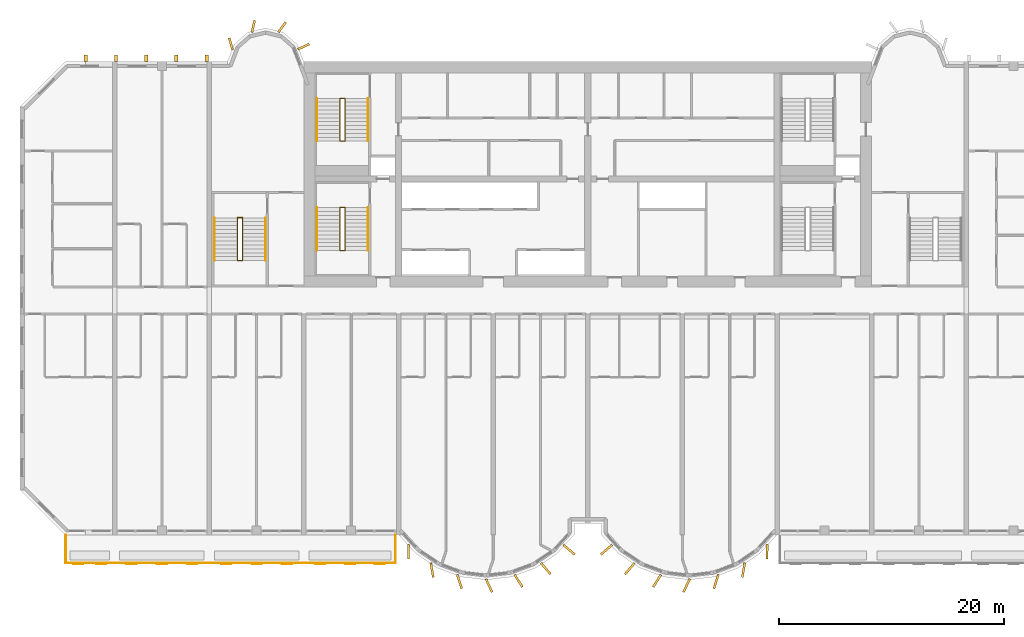
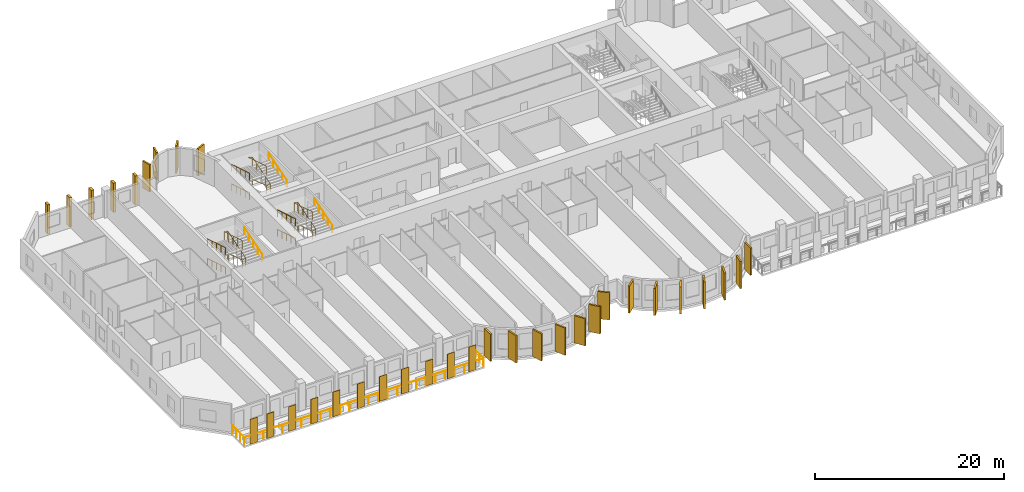
# One storey, part 13 of 15: 34 coverings, 13 railings.
"""IFC4 building model written with IfcOpenShell, lengths in metres."""

from ifc_helpers import new_model, si_unit, direction, frame, origin, origin_2d, place, context, subcontext, project, spatial, rectangle, circle, extrude, source, transform, mapped, material, layer, layer_set, material_profile, profile_set, type_object, element, save


model = new_model("IFC4")

# Units and contexts
model_context = context("Model", 3, precision=1e-05, world=origin(), true_north=direction((0.0, 1.0)))
body_context = subcontext(model_context, "Body", "Model", "MODEL_VIEW")
ifc_project = project(units=[si_unit("LENGTHUNIT", "METRE"), si_unit("AREAUNIT", "SQUARE_METRE"), si_unit("VOLUMEUNIT", "CUBIC_METRE"), si_unit("PLANEANGLEUNIT", "RADIAN"), si_unit("MASSUNIT", "GRAM", prefix="KILO")], contexts=[model_context])

# Site, building, storey
site_placement = place(None, origin())
site = spatial("IfcSite", under=ifc_project, at=site_placement, CompositionType="ELEMENT")
building_placement = place(site_placement, origin())
building = spatial("IfcBuilding", under=site, at=building_placement, Name="Vanashikhar Sky Hotel", CompositionType="ELEMENT")
storey_placement = place(building_placement, frame((0.0, 0.0, 77.199951171875)))
storey = spatial("IfcBuildingStorey", under=building, at=storey_placement, Name="L18", CompositionType="ELEMENT", Elevation=77.199951171875)

# Railing
ifc_material_1 = material(Name="Stainless steel 316", Category="steel")
railing_type_1 = type_object("IfcRailingType", Name="Balcony guard 1100", PredefinedType="GUARDRAIL", material=ifc_material_1)
shared_shape_1 = source(origin(), body_context, "Body", "SweptSolid", [
    extrude(circle(Radius=0.02392578125, at=origin_2d()), frame((0.0, 0.0, 1.076171875), z_axis=(0.0, -1.0, 0.0), x_axis=(1.0, 0.0, 0.0)), (0.0, 0.0, 1.0), 2.5),
    extrude(circle(Radius=0.02392578125, at=origin_2d()), frame((0.0, -2.5, 1.076171875), z_axis=(1.0, 0.0, 0.0), x_axis=(0.0, 1.0, 0.0)), (0.0, 0.0, 1.0), 29.280029296875),
    extrude(circle(Radius=0.02392578125, at=origin_2d()), frame((29.280029296875, -2.5, 1.076171875), z_axis=(0.0, 1.0, 0.0), x_axis=(-1.0, 0.0, 0.0)), (0.0, 0.0, 1.0), 2.5),
    extrude(circle(Radius=0.02099609375, at=origin_2d()), origin(), (0.0, 0.0, 1.0), 1.052001953125),
    extrude(circle(Radius=0.02099609375, at=origin_2d()), frame((0.0, -0.833251953125, 0.0)), (0.0, 0.0, 1.0), 1.052001953125),
    extrude(circle(Radius=0.02099609375, at=origin_2d()), frame((0.0, -1.666748046875, 0.0)), (0.0, 0.0, 1.0), 1.052001953125),
    extrude(circle(Radius=0.02099609375, at=origin_2d()), frame((0.0, -2.5, 0.0)), (0.0, 0.0, 1.0), 1.052001953125),
    extrude(circle(Radius=0.02099609375, at=origin_2d()), frame((1.171142578125, -2.5, 0.0)), (0.0, 0.0, 1.0), 1.052001953125),
    extrude(circle(Radius=0.02099609375, at=origin_2d()), frame((2.34228515625, -2.5, 0.0)), (0.0, 0.0, 1.0), 1.052001953125),
    extrude(circle(Radius=0.02099609375, at=origin_2d()), frame((3.513671875, -2.5, 0.0)), (0.0, 0.0, 1.0), 1.052001953125),
    extrude(circle(Radius=0.02099609375, at=origin_2d()), frame((4.684814453125, -2.5, 0.0)), (0.0, 0.0, 1.0), 1.052001953125),
    extrude(circle(Radius=0.02099609375, at=origin_2d()), frame((5.85595703125, -2.5, 0.0)), (0.0, 0.0, 1.0), 1.052001953125),
    extrude(circle(Radius=0.02099609375, at=origin_2d()), frame((7.027099609375, -2.5, 0.0)), (0.0, 0.0, 1.0), 1.052001953125),
    extrude(circle(Radius=0.02099609375, at=origin_2d()), frame((8.198486328125, -2.5, 0.0)), (0.0, 0.0, 1.0), 1.052001953125),
    extrude(circle(Radius=0.02099609375, at=origin_2d()), frame((9.36962890625, -2.5, 0.0)), (0.0, 0.0, 1.0), 1.052001953125),
    extrude(circle(Radius=0.02099609375, at=origin_2d()), frame((10.540771484375, -2.5, 0.0)), (0.0, 0.0, 1.0), 1.052001953125),
    extrude(circle(Radius=0.02099609375, at=origin_2d()), frame((11.7119140625, -2.5, 0.0)), (0.0, 0.0, 1.0), 1.052001953125),
    extrude(circle(Radius=0.02099609375, at=origin_2d()), frame((12.88330078125, -2.5, 0.0)), (0.0, 0.0, 1.0), 1.052001953125),
    extrude(circle(Radius=0.02099609375, at=origin_2d()), frame((14.054443359375, -2.5, 0.0)), (0.0, 0.0, 1.0), 1.052001953125),
    extrude(circle(Radius=0.02099609375, at=origin_2d()), frame((15.2255859375, -2.5, 0.0)), (0.0, 0.0, 1.0), 1.052001953125),
    extrude(circle(Radius=0.02099609375, at=origin_2d()), frame((16.396728515625, -2.5, 0.0)), (0.0, 0.0, 1.0), 1.052001953125),
    extrude(circle(Radius=0.02099609375, at=origin_2d()), frame((17.568115234375, -2.5, 0.0)), (0.0, 0.0, 1.0), 1.052001953125),
    extrude(circle(Radius=0.02099609375, at=origin_2d()), frame((18.7392578125, -2.5, 0.0)), (0.0, 0.0, 1.0), 1.052001953125),
    extrude(circle(Radius=0.02099609375, at=origin_2d()), frame((19.910400390625, -2.5, 0.0)), (0.0, 0.0, 1.0), 1.052001953125),
    extrude(circle(Radius=0.02099609375, at=origin_2d()), frame((21.08154296875, -2.5, 0.0)), (0.0, 0.0, 1.0), 1.052001953125),
    extrude(circle(Radius=0.02099609375, at=origin_2d()), frame((22.2529296875, -2.5, 0.0)), (0.0, 0.0, 1.0), 1.052001953125),
    extrude(circle(Radius=0.02099609375, at=origin_2d()), frame((23.424072265625, -2.5, 0.0)), (0.0, 0.0, 1.0), 1.052001953125),
    extrude(circle(Radius=0.02099609375, at=origin_2d()), frame((24.59521484375, -2.5, 0.0)), (0.0, 0.0, 1.0), 1.052001953125),
    extrude(circle(Radius=0.02099609375, at=origin_2d()), frame((25.766357421875, -2.5, 0.0)), (0.0, 0.0, 1.0), 1.052001953125),
    extrude(circle(Radius=0.02099609375, at=origin_2d()), frame((26.937744140625, -2.5, 0.0)), (0.0, 0.0, 1.0), 1.052001953125),
    extrude(circle(Radius=0.02099609375, at=origin_2d()), frame((28.10888671875, -2.5, 0.0)), (0.0, 0.0, 1.0), 1.052001953125),
    extrude(circle(Radius=0.02099609375, at=origin_2d()), frame((29.280029296875, -2.5, 0.0)), (0.0, 0.0, 1.0), 1.052001953125),
    extrude(circle(Radius=0.02099609375, at=origin_2d()), frame((29.280029296875, -1.666748046875, 0.0)), (0.0, 0.0, 1.0), 1.052001953125),
    extrude(circle(Radius=0.02099609375, at=origin_2d()), frame((29.280029296875, -0.833251953125, 0.0)), (0.0, 0.0, 1.0), 1.052001953125),
    extrude(circle(Radius=0.02099609375, at=origin_2d()), frame((29.280029296875, 0.0, 0.0)), (0.0, 0.0, 1.0), 1.052001953125),
])
railing_1_placement = place(storey_placement, frame((4.06005859375, 0.0, -0.050048828125)))
element("IfcRailing", 1, at=railing_1_placement, inside=storey, type_object=railing_type_1, Name="Balcony guard", PredefinedType="GUARDRAIL", context=body_context, shape_type="MappedRepresentation", body=[
    mapped(shared_shape_1, transform((0.0, 0.0, 0.0), scale=1.0)),
])

# Coverings
ifc_material_2 = material(Name="Concrete M60 dark", Category="concrete")
ifc_material_profile_1 = material_profile(ifc_material_2, rectangle(XDim=1.300048828125, YDim=0.199951171875, at=origin_2d()))
ifc_profile_set_1 = profile_set([ifc_material_profile_1], Name="Fin 1300 x 200")
covering_type_1 = type_object("IfcCoveringType", Name="Fin 1300 x 200", PredefinedType="CLADDING", material=ifc_profile_set_1)
shared_shape_2 = source(origin(), body_context, "Body", "SweptSolid", [
    extrude(rectangle(XDim=1.300048828125, YDim=0.199951171875, at=origin_2d()), origin(), (0.0, 0.0, 1.0), 3.52001953125),
])
for number, where, z_axis, x_axis, name in (
    (2, (34.482421875, -1.507080078125, 0.0), (0.0, 0.0, 1.0), (0.011588726826, -0.999932848451, 0.0), "Fin F1-1"),
    (3, (36.572509765625, -3.1220703125, 0.0), (0.0, 0.0, 1.0), (0.16989991575, -0.985461322746, 0.0), "Fin F1-2"),
    (4, (39.00830078125, -4.14306640625, 0.0), (0.0, 0.0, 1.0), (0.303966551867, -0.952682704444, 0.0), "Fin F1-3"),
    (5, (41.63232421875, -4.49853515625, 0.0), (0.0, 0.0, 1.0), (0.422618261741, -0.906307787037, 0.0), "Fin F1-4"),
    (6, (44.251953125, -4.083984375, 0.0), (0.0, 0.0, 1.0), (0.534411358496, -0.845224526331, 0.0), "Fin F1-5"),
    (7, (46.676025390625, -3.0, 0.0), (0.0, 0.0, 1.0), (0.645697609467, -0.763593214433, 0.0), "Fin F1-6"),
    (8, (48.7412109375, -1.3154296875, 0.0), (0.0, 0.0, 1.0), (0.758543912032, -0.65162192529, 0.0), "Fin F1-7"),
    (9, (52.058837890625, -1.3154296875, 0.0), (0.0, 0.0, 1.0), (-0.758543912032, -0.65162192529, 0.0), "Fin F2-1"),
    (10, (54.123779296875, -3.0, 0.0), (0.0, 0.0, 1.0), (-0.645697609467, -0.763593214433, 0.0), "Fin F2-2"),
    (11, (56.547119140625, -4.083984375, 0.0), (0.0, 0.0, 1.0), (-0.534411358496, -0.845224526331, 0.0), "Fin F2-3"),
    (12, (59.16748046875, -4.49853515625, 0.0), (0.0, 0.0, 1.0), (-0.422618261741, -0.906307787037, 0.0), "Fin F2-4"),
    (13, (61.790771484375, -4.14306640625, 0.0), (0.0, 0.0, 1.0), (-0.303966551867, -0.952682704444, 0.0), "Fin F2-5"),
    (14, (64.2275390625, -3.1220703125, 0.0), (0.0, 0.0, 1.0), (-0.16989991575, -0.985461322746, 0.0), "Fin F2-6"),
    (15, (66.317626953125, -1.507080078125, 0.0), (0.0, 0.0, 1.0), (-0.011588726826, -0.999932848451, 0.0), "Fin F2-7"),
):
    element("IfcCovering", number, at=place(storey_placement, frame(where, z_axis=z_axis, x_axis=x_axis)), inside=storey, type_object=covering_type_1, Name=name, PredefinedType="CLADDING", context=body_context, shape_type="MappedRepresentation", body=[
        mapped(shared_shape_2, transform((0.0, 0.0, 0.0), scale=1.0)),
    ])
ifc_material_profile_2 = material_profile(ifc_material_2, rectangle(XDim=1.10009765625, YDim=0.199951171875, at=origin_2d()))
ifc_profile_set_2 = profile_set([ifc_material_profile_2], Name="Rear lobe fin 1100 x 200")
covering_type_2 = type_object("IfcCoveringType", Name="Rear lobe fin 1100 x 200", PredefinedType="CLADDING", material=ifc_profile_set_2)
shared_shape_3 = source(origin(), body_context, "Body", "SweptSolid", [
    extrude(rectangle(XDim=1.10009765625, YDim=0.199951171875, at=origin_2d()), origin(), (0.0, 0.0, 1.0), 3.52001953125),
])
for number, where, z_axis, x_axis, name in (
    (16, (18.720703125, 43.580078125, 0.0), (0.0, 0.0, 1.0), (-0.262711264409, 0.964874495234, 0.0), "Fin R1-1"),
    (17, (20.710205078125, 45.1455078125, 0.0), (0.0, 0.0, 1.0), (0.224644935864, 0.974440687159, 0.0), "Fin R1-2"),
    (18, (23.261962890625, 45.06640625, 0.0), (0.0, 0.0, 1.0), (0.602065892195, 0.798446404874, 0.0), "Fin R1-3"),
    (19, (25.169677734375, 43.33447265625, 0.0), (0.0, 0.0, 1.0), (0.908004291068, 0.418960866193, 0.0), "Fin R1-4"),
):
    element("IfcCovering", number, at=place(storey_placement, frame(where, z_axis=z_axis, x_axis=x_axis)), inside=storey, type_object=covering_type_2, Name=name, PredefinedType="CLADDING", context=body_context, shape_type="MappedRepresentation", body=[
        mapped(shared_shape_3, transform((0.0, 0.0, 0.0), scale=1.0)),
    ])
ifc_material_3 = material(Name="Terracotta", Category="masonry")
ifc_layer = layer(ifc_material_3, 0.06005859375)
ifc_layer_set = layer_set([ifc_layer], Name="Terracotta baguette screen")
covering_type_3 = type_object("IfcCoveringType", Name="Terracotta baguette screen", PredefinedType="CLADDING", material=ifc_layer_set)
shared_shape_4 = source(origin(), body_context, "Body", "SweptSolid", [
    extrude(rectangle(XDim=0.89990234375, YDim=0.06005859375, at=origin_2d()), origin(), (0.0, 0.0, 1.0), 3.199951171875),
])
for number, where, z_axis, x_axis, name in (
    (20, (5.175048828125, -2.570068359375, -0.0498046875), (0.0, 0.0, 1.0), (1.0, 0.0, 0.0), "Terracotta screen"),
    (21, (7.22509765625, -2.570068359375, -0.0498046875), (0.0, 0.0, 1.0), (1.0, 0.0, 0.0), "Terracotta screen"),
    (22, (9.89990234375, -2.570068359375, -0.0498046875), (0.0, 0.0, 1.0), (1.0, 0.0, 0.0), "Terracotta screen"),
    (23, (12.60009765625, -2.570068359375, -0.0498046875), (0.0, 0.0, 1.0), (1.0, 0.0, 0.0), "Terracotta screen"),
    (24, (15.300048828125, -2.570068359375, -0.0498046875), (0.0, 0.0, 1.0), (1.0, 0.0, 0.0), "Terracotta screen"),
    (25, (18.300048828125, -2.570068359375, -0.0498046875), (0.0, 0.0, 1.0), (1.0, 0.0, 0.0), "Terracotta screen"),
    (26, (21.0, -2.570068359375, -0.0498046875), (0.0, 0.0, 1.0), (1.0, 0.0, 0.0), "Terracotta screen"),
    (27, (23.699951171875, -2.570068359375, -0.0498046875), (0.0, 0.0, 1.0), (1.0, 0.0, 0.0), "Terracotta screen"),
    (28, (26.666748046875, -2.570068359375, -0.0498046875), (0.0, 0.0, 1.0), (1.0, 0.0, 0.0), "Terracotta screen"),
    (29, (29.300048828125, -2.570068359375, -0.0498046875), (0.0, 0.0, 1.0), (1.0, 0.0, 0.0), "Terracotta screen"),
    (30, (31.933349609375, -2.570068359375, -0.0498046875), (0.0, 0.0, 1.0), (1.0, 0.0, 0.0), "Terracotta screen"),
):
    element("IfcCovering", number, at=place(storey_placement, frame(where, z_axis=z_axis, x_axis=x_axis)), inside=storey, type_object=covering_type_3, Name=name, PredefinedType="CLADDING", context=body_context, shape_type="MappedRepresentation", body=[
        mapped(shared_shape_4, transform((0.0, 0.0, 0.0), scale=1.0)),
    ])
ifc_material_profile_3 = material_profile(ifc_material_2, rectangle(XDim=0.60009765625, YDim=0.300048828125, at=origin_2d()))
ifc_profile_set_3 = profile_set([ifc_material_profile_3], Name="Rear rib 600 x 300")
covering_type_4 = type_object("IfcCoveringType", Name="Rear rib 600 x 300", PredefinedType="CLADDING", material=ifc_profile_set_3)
shared_shape_5 = source(origin(), body_context, "Body", "SweptSolid", [
    extrude(rectangle(XDim=0.60009765625, YDim=0.300048828125, at=origin_2d()), origin(), (0.0, 0.0, 1.0), 3.800048828125),
])
for number, where, z_axis, x_axis, name in (
    (31, (5.840087890625, 42.300048828125, -0.280029296875), (0.0, 0.0, 1.0), (0.0, 1.0, 0.0), "Rear rib"),
    (32, (8.52001953125, 42.300048828125, -0.280029296875), (0.0, 0.0, 1.0), (0.0, 1.0, 0.0), "Rear rib"),
    (33, (11.199951171875, 42.300048828125, -0.280029296875), (0.0, 0.0, 1.0), (0.0, 1.0, 0.0), "Rear rib"),
    (34, (13.8798828125, 42.300048828125, -0.280029296875), (0.0, 0.0, 1.0), (0.0, 1.0, 0.0), "Rear rib"),
    (35, (16.56005859375, 42.300048828125, -0.280029296875), (0.0, 0.0, 1.0), (0.0, 1.0, 0.0), "Rear rib"),
):
    element("IfcCovering", number, at=place(storey_placement, frame(where, z_axis=z_axis, x_axis=x_axis)), inside=storey, type_object=covering_type_4, Name=name, PredefinedType="CLADDING", context=body_context, shape_type="MappedRepresentation", body=[
        mapped(shared_shape_5, transform((0.0, 0.0, 0.0), scale=1.0)),
    ])

# Railings
ifc_material_4 = material(Name="Steel S355", Category="steel")
railing_type_2 = type_object("IfcRailingType", Name="Stair handrail 900", PredefinedType="HANDRAIL", material=ifc_material_4)
shared_shape_6 = source(origin(), body_context, "Body", "SweptSolid", [
    extrude(circle(Radius=0.02392578125, at=origin_2d()), frame((0.0, 0.0, 0.8759765625), z_axis=(0.0, 0.95635109408, 0.292220096591), x_axis=(-1.0, 0.0, 0.0)), (0.0, 0.0, 1.0), 3.973388671875),
    extrude(circle(Radius=0.02099609375, at=origin_2d()), origin(), (0.0, 0.0, 1.0), 0.851806640625),
    extrude(circle(Radius=0.02099609375, at=origin_2d()), frame((0.0, 0.949951171875, 0.290283203125)), (0.0, 0.0, 1.0), 0.851806640625),
    extrude(circle(Radius=0.02099609375, at=origin_2d()), frame((0.0, 1.89990234375, 0.58056640625)), (0.0, 0.0, 1.0), 0.851806640625),
    extrude(circle(Radius=0.02099609375, at=origin_2d()), frame((0.0, 2.85009765625, 0.870849609375)), (0.0, 0.0, 1.0), 0.851806640625),
    extrude(circle(Radius=0.02099609375, at=origin_2d()), frame((0.0, 3.800048828125, 1.1611328125)), (0.0, 0.0, 1.0), 0.851806640625),
])
for number, where, name in (
    (36, (30.89990234375, 25.25, 1.372314453125), "Exit stair 1 handrail"),
    (37, (30.89990234375, 34.949951171875, 1.372314453125), "Exit stair 5 handrail"),
):
    element("IfcRailing", number, at=place(storey_placement, frame(where)), inside=storey, type_object=railing_type_2, Name=name, PredefinedType="HANDRAIL", context=body_context, shape_type="MappedRepresentation", body=[
        mapped(shared_shape_6, transform((0.0, 0.0, 0.0), scale=1.0)),
    ])
shared_shape_7 = source(origin(), body_context, "Body", "SweptSolid", [
    extrude(circle(Radius=0.02392578125, at=origin_2d()), frame((0.0, 0.0, 0.8759765625), z_axis=(0.0, -0.95635109408, 0.292220096591), x_axis=(1.0, 0.0, 0.0)), (0.0, 0.0, 1.0), 3.973388671875),
    extrude(circle(Radius=0.02099609375, at=origin_2d()), origin(), (0.0, 0.0, 1.0), 0.851806640625),
    extrude(circle(Radius=0.02099609375, at=origin_2d()), frame((0.0, -0.949951171875, 0.290283203125)), (0.0, 0.0, 1.0), 0.851806640625),
    extrude(circle(Radius=0.02099609375, at=origin_2d()), frame((0.0, -1.89990234375, 0.58056640625)), (0.0, 0.0, 1.0), 0.851806640625),
    extrude(circle(Radius=0.02099609375, at=origin_2d()), frame((0.0, -2.85009765625, 0.870849609375)), (0.0, 0.0, 1.0), 0.851806640625),
    extrude(circle(Radius=0.02099609375, at=origin_2d()), frame((0.0, -3.800048828125, 1.1611328125)), (0.0, 0.0, 1.0), 0.851806640625),
])
for number, where, name in (
    (38, (26.35009765625, 29.050048828125, 2.638916015625), "Exit stair 1 handrail"),
    (39, (26.35009765625, 38.75, 2.638916015625), "Exit stair 5 handrail"),
):
    element("IfcRailing", number, at=place(storey_placement, frame(where)), inside=storey, type_object=railing_type_2, Name=name, PredefinedType="HANDRAIL", context=body_context, shape_type="MappedRepresentation", body=[
        mapped(shared_shape_7, transform((0.0, 0.0, 0.0), scale=1.0)),
    ])
railing_type_3 = type_object("IfcRailingType", Name="Stair guard 1100", PredefinedType="GUARDRAIL", material=ifc_material_4)
shared_shape_8 = source(origin(), body_context, "Body", "SweptSolid", [
    extrude(circle(Radius=0.02392578125, at=origin_2d()), frame((0.0, 0.0, 1.076171875), z_axis=(-0.973520925263, 0.0, 0.228597917917), x_axis=(0.0, -1.0, 0.0)), (0.0, 0.0, 1.0), 0.46240234375),
    extrude(circle(Radius=0.02392578125, at=origin_2d()), frame((-0.4501953125, 0.0, 1.181640625), z_axis=(0.0, -0.956368263741, 0.292163899395), x_axis=(1.0, 0.0, 0.0)), (0.0, 0.0, 1.0), 3.973388671875),
    extrude(circle(Radius=0.02392578125, at=origin_2d()), frame((-0.4501953125, -3.800048828125, 2.3427734375), z_axis=(0.973520925263, 0.0, 0.228597917917), x_axis=(0.0, 1.0, 0.0)), (0.0, 0.0, 1.0), 0.46240234375),
    extrude(circle(Radius=0.02392578125, at=origin_2d()), frame((0.0, -3.800048828125, 2.4482421875), z_axis=(0.0, 0.95635109408, 0.292220096591), x_axis=(-1.0, 0.0, 0.0)), (0.0, 0.0, 1.0), 3.973388671875),
    extrude(circle(Radius=0.02392578125, at=origin_2d()), frame((0.0, 0.0, 3.609375), z_axis=(-0.973638301096, 0.0, 0.228097476179), x_axis=(0.0, -1.0, 0.0)), (0.0, 0.0, 1.0), 0.46240234375),
    extrude(circle(Radius=0.02392578125, at=origin_2d()), frame((-0.4501953125, 0.0, 3.71484375), z_axis=(0.0, -0.95635109408, 0.292220096591), x_axis=(1.0, 0.0, 0.0)), (0.0, 0.0, 1.0), 3.973388671875),
    extrude(circle(Radius=0.02099609375, at=origin_2d()), origin(), (0.0, 0.0, 1.0), 1.052001953125),
    extrude(circle(Radius=0.02099609375, at=origin_2d()), frame((-0.4501953125, 0.0, 0.105712890625)), (0.0, 0.0, 1.0), 1.052001953125),
    extrude(circle(Radius=0.02099609375, at=origin_2d()), frame((-0.4501953125, -0.949951171875, 0.39599609375)), (0.0, 0.0, 1.0), 1.052001953125),
    extrude(circle(Radius=0.02099609375, at=origin_2d()), frame((-0.4501953125, -1.89990234375, 0.68603515625)), (0.0, 0.0, 1.0), 1.052001953125),
    extrude(circle(Radius=0.02099609375, at=origin_2d()), frame((-0.4501953125, -2.85009765625, 0.976318359375)), (0.0, 0.0, 1.0), 1.052001953125),
    extrude(circle(Radius=0.02099609375, at=origin_2d()), frame((-0.4501953125, -3.800048828125, 1.2666015625)), (0.0, 0.0, 1.0), 1.052001953125),
    extrude(circle(Radius=0.02099609375, at=origin_2d()), frame((0.0, -3.800048828125, 1.372314453125)), (0.0, 0.0, 1.0), 1.052001953125),
    extrude(circle(Radius=0.02099609375, at=origin_2d()), frame((0.0, -2.85009765625, 1.66259765625)), (0.0, 0.0, 1.0), 1.052001953125),
    extrude(circle(Radius=0.02099609375, at=origin_2d()), frame((0.0, -1.89990234375, 1.952880859375)), (0.0, 0.0, 1.0), 1.052001953125),
    extrude(circle(Radius=0.02099609375, at=origin_2d()), frame((0.0, -0.949951171875, 2.2431640625)), (0.0, 0.0, 1.0), 1.052001953125),
    extrude(circle(Radius=0.02099609375, at=origin_2d()), frame((0.0, 0.0, 2.533447265625)), (0.0, 0.0, 1.0), 1.052001953125),
    extrude(circle(Radius=0.02099609375, at=origin_2d()), frame((-0.4501953125, 0.0, 2.638916015625)), (0.0, 0.0, 1.0), 1.052001953125),
    extrude(circle(Radius=0.02099609375, at=origin_2d()), frame((-0.4501953125, -0.949951171875, 2.92919921875)), (0.0, 0.0, 1.0), 1.052001953125),
    extrude(circle(Radius=0.02099609375, at=origin_2d()), frame((-0.4501953125, -1.89990234375, 3.219482421875)), (0.0, 0.0, 1.0), 1.052001953125),
    extrude(circle(Radius=0.02099609375, at=origin_2d()), frame((-0.4501953125, -2.85009765625, 3.509765625)), (0.0, 0.0, 1.0), 1.052001953125),
    extrude(circle(Radius=0.02099609375, at=origin_2d()), frame((-0.4501953125, -3.800048828125, 3.800048828125)), (0.0, 0.0, 1.0), 1.052001953125),
])
for number, where, name in (
    (40, (28.85009765625, 29.050048828125, 0.0), "Exit stair 1 guard"),
    (41, (28.85009765625, 38.75, 0.0), "Exit stair 5 guard"),
):
    element("IfcRailing", number, at=place(storey_placement, frame(where)), inside=storey, type_object=railing_type_3, Name=name, PredefinedType="GUARDRAIL", context=body_context, shape_type="MappedRepresentation", body=[
        mapped(shared_shape_8, transform((0.0, 0.0, 0.0), scale=1.0)),
    ])
shared_shape_9 = source(origin(), body_context, "Body", "SweptSolid", [
    extrude(circle(Radius=0.02392578125, at=origin_2d()), frame((0.0, 0.0, 0.8759765625), z_axis=(0.0, -0.956368263741, 0.292163899395), x_axis=(1.0, 0.0, 0.0)), (0.0, 0.0, 1.0), 3.973388671875),
    extrude(circle(Radius=0.02099609375, at=origin_2d()), origin(), (0.0, 0.0, 1.0), 0.851806640625),
    extrude(circle(Radius=0.02099609375, at=origin_2d()), frame((0.0, -0.949951171875, 0.290283203125)), (0.0, 0.0, 1.0), 0.851806640625),
    extrude(circle(Radius=0.02099609375, at=origin_2d()), frame((0.0, -1.89990234375, 0.58056640625)), (0.0, 0.0, 1.0), 0.851806640625),
    extrude(circle(Radius=0.02099609375, at=origin_2d()), frame((0.0, -2.85009765625, 0.87060546875)), (0.0, 0.0, 1.0), 0.851806640625),
    extrude(circle(Radius=0.02099609375, at=origin_2d()), frame((0.0, -3.800048828125, 1.160888671875)), (0.0, 0.0, 1.0), 0.851806640625),
])
for number, where, name in (
    (42, (26.35009765625, 29.050048828125, 0.105712890625), "Exit stair 1 handrail"),
    (43, (26.35009765625, 38.75, 0.105712890625), "Exit stair 5 handrail"),
):
    element("IfcRailing", number, at=place(storey_placement, frame(where)), inside=storey, type_object=railing_type_2, Name=name, PredefinedType="HANDRAIL", context=body_context, shape_type="MappedRepresentation", body=[
        mapped(shared_shape_9, transform((0.0, 0.0, 0.0), scale=1.0)),
    ])
shared_shape_10 = source(origin(), body_context, "Body", "SweptSolid", [
    extrude(circle(Radius=0.02392578125, at=origin_2d()), frame((0.0, 0.0, 0.8759765625), z_axis=(0.0, 0.956345846891, 0.292237268557), x_axis=(-1.0, 0.0, 0.0)), (0.0, 0.0, 1.0), 3.97314453125),
    extrude(circle(Radius=0.02099609375, at=origin_2d()), origin(), (0.0, 0.0, 1.0), 0.851806640625),
    extrude(circle(Radius=0.02099609375, at=origin_2d()), frame((0.0, 0.949951171875, 0.290283203125)), (0.0, 0.0, 1.0), 0.851806640625),
    extrude(circle(Radius=0.02099609375, at=origin_2d()), frame((0.0, 1.89990234375, 0.58056640625)), (0.0, 0.0, 1.0), 0.851806640625),
    extrude(circle(Radius=0.02099609375, at=origin_2d()), frame((0.0, 2.849853515625, 0.870849609375)), (0.0, 0.0, 1.0), 0.851806640625),
    extrude(circle(Radius=0.02099609375, at=origin_2d()), frame((0.0, 3.7998046875, 1.1611328125)), (0.0, 0.0, 1.0), 0.851806640625),
])
railing_2_placement = place(storey_placement, frame((21.800048828125, 24.35009765625, 1.372314453125)))
element("IfcRailing", 44, at=railing_2_placement, inside=storey, type_object=railing_type_2, Name="Exit stair 3 handrail", PredefinedType="HANDRAIL", context=body_context, shape_type="MappedRepresentation", body=[
    mapped(shared_shape_10, transform((0.0, 0.0, 0.0), scale=1.0)),
])
shared_shape_11 = source(origin(), body_context, "Body", "SweptSolid", [
    extrude(circle(Radius=0.02392578125, at=origin_2d()), frame((0.0, 0.0, 0.8759765625), z_axis=(0.0, -0.956345846891, 0.292237268557), x_axis=(1.0, 0.0, 0.0)), (0.0, 0.0, 1.0), 3.97314453125),
    extrude(circle(Radius=0.02099609375, at=origin_2d()), origin(), (0.0, 0.0, 1.0), 0.851806640625),
    extrude(circle(Radius=0.02099609375, at=origin_2d()), frame((0.0, -0.949951171875, 0.290283203125)), (0.0, 0.0, 1.0), 0.851806640625),
    extrude(circle(Radius=0.02099609375, at=origin_2d()), frame((0.0, -1.89990234375, 0.58056640625)), (0.0, 0.0, 1.0), 0.851806640625),
    extrude(circle(Radius=0.02099609375, at=origin_2d()), frame((0.0, -2.849853515625, 0.870849609375)), (0.0, 0.0, 1.0), 0.851806640625),
    extrude(circle(Radius=0.02099609375, at=origin_2d()), frame((0.0, -3.7998046875, 1.1611328125)), (0.0, 0.0, 1.0), 0.851806640625),
])
railing_3_placement = place(storey_placement, frame((17.25, 28.14990234375, 2.638916015625)))
element("IfcRailing", 45, at=railing_3_placement, inside=storey, type_object=railing_type_2, Name="Exit stair 3 handrail", PredefinedType="HANDRAIL", context=body_context, shape_type="MappedRepresentation", body=[
    mapped(shared_shape_11, transform((0.0, 0.0, 0.0), scale=1.0)),
])
shared_shape_12 = source(origin(), body_context, "Body", "SweptSolid", [
    extrude(circle(Radius=0.02392578125, at=origin_2d()), frame((0.0, 0.0, 1.076171875), z_axis=(-0.973493315427, 0.0, 0.228715466945), x_axis=(0.0, -1.0, 0.0)), (0.0, 0.0, 1.0), 0.462158203125),
    extrude(circle(Radius=0.02392578125, at=origin_2d()), frame((-0.449951171875, 0.0, 1.181640625), z_axis=(0.0, -0.956363018476, 0.292181068675), x_axis=(1.0, 0.0, 0.0)), (0.0, 0.0, 1.0), 3.97314453125),
    extrude(circle(Radius=0.02392578125, at=origin_2d()), frame((-0.449951171875, -3.7998046875, 2.3427734375), z_axis=(0.973493315427, 0.0, 0.228715466945), x_axis=(0.0, 1.0, 0.0)), (0.0, 0.0, 1.0), 0.462158203125),
    extrude(circle(Radius=0.02392578125, at=origin_2d()), frame((0.0, -3.7998046875, 2.4482421875), z_axis=(0.0, 0.956345846891, 0.292237268557), x_axis=(-1.0, 0.0, 0.0)), (0.0, 0.0, 1.0), 3.97314453125),
    extrude(circle(Radius=0.02392578125, at=origin_2d()), frame((0.0, 0.0, 3.609375), z_axis=(-0.973610808694, 0.0, 0.228214796178), x_axis=(0.0, -1.0, 0.0)), (0.0, 0.0, 1.0), 0.462158203125),
    extrude(circle(Radius=0.02392578125, at=origin_2d()), frame((-0.449951171875, 0.0, 3.71484375), z_axis=(0.0, -0.956345846891, 0.292237268557), x_axis=(1.0, 0.0, 0.0)), (0.0, 0.0, 1.0), 3.97314453125),
    extrude(circle(Radius=0.02099609375, at=origin_2d()), origin(), (0.0, 0.0, 1.0), 1.052001953125),
    extrude(circle(Radius=0.02099609375, at=origin_2d()), frame((-0.449951171875, 0.0, 0.105712890625)), (0.0, 0.0, 1.0), 1.052001953125),
    extrude(circle(Radius=0.02099609375, at=origin_2d()), frame((-0.449951171875, -0.949951171875, 0.39599609375)), (0.0, 0.0, 1.0), 1.052001953125),
    extrude(circle(Radius=0.02099609375, at=origin_2d()), frame((-0.449951171875, -1.89990234375, 0.68603515625)), (0.0, 0.0, 1.0), 1.052001953125),
    extrude(circle(Radius=0.02099609375, at=origin_2d()), frame((-0.449951171875, -2.849853515625, 0.976318359375)), (0.0, 0.0, 1.0), 1.052001953125),
    extrude(circle(Radius=0.02099609375, at=origin_2d()), frame((-0.449951171875, -3.7998046875, 1.2666015625)), (0.0, 0.0, 1.0), 1.052001953125),
    extrude(circle(Radius=0.02099609375, at=origin_2d()), frame((0.0, -3.7998046875, 1.372314453125)), (0.0, 0.0, 1.0), 1.052001953125),
    extrude(circle(Radius=0.02099609375, at=origin_2d()), frame((0.0, -2.849853515625, 1.66259765625)), (0.0, 0.0, 1.0), 1.052001953125),
    extrude(circle(Radius=0.02099609375, at=origin_2d()), frame((0.0, -1.89990234375, 1.952880859375)), (0.0, 0.0, 1.0), 1.052001953125),
    extrude(circle(Radius=0.02099609375, at=origin_2d()), frame((0.0, -0.949951171875, 2.2431640625)), (0.0, 0.0, 1.0), 1.052001953125),
    extrude(circle(Radius=0.02099609375, at=origin_2d()), frame((0.0, 0.0, 2.533447265625)), (0.0, 0.0, 1.0), 1.052001953125),
    extrude(circle(Radius=0.02099609375, at=origin_2d()), frame((-0.449951171875, 0.0, 2.638916015625)), (0.0, 0.0, 1.0), 1.052001953125),
    extrude(circle(Radius=0.02099609375, at=origin_2d()), frame((-0.449951171875, -0.949951171875, 2.92919921875)), (0.0, 0.0, 1.0), 1.052001953125),
    extrude(circle(Radius=0.02099609375, at=origin_2d()), frame((-0.449951171875, -1.89990234375, 3.219482421875)), (0.0, 0.0, 1.0), 1.052001953125),
    extrude(circle(Radius=0.02099609375, at=origin_2d()), frame((-0.449951171875, -2.849853515625, 3.509765625)), (0.0, 0.0, 1.0), 1.052001953125),
    extrude(circle(Radius=0.02099609375, at=origin_2d()), frame((-0.449951171875, -3.7998046875, 3.800048828125)), (0.0, 0.0, 1.0), 1.052001953125),
])
railing_4_placement = place(storey_placement, frame((19.75, 28.14990234375, 0.0)))
element("IfcRailing", 46, at=railing_4_placement, inside=storey, type_object=railing_type_3, Name="Exit stair 3 guard", PredefinedType="GUARDRAIL", context=body_context, shape_type="MappedRepresentation", body=[
    mapped(shared_shape_12, transform((0.0, 0.0, 0.0), scale=1.0)),
])
shared_shape_13 = source(origin(), body_context, "Body", "SweptSolid", [
    extrude(circle(Radius=0.02392578125, at=origin_2d()), frame((0.0, 0.0, 0.8759765625), z_axis=(0.0, -0.956363018476, 0.292181068675), x_axis=(1.0, 0.0, 0.0)), (0.0, 0.0, 1.0), 3.97314453125),
    extrude(circle(Radius=0.02099609375, at=origin_2d()), origin(), (0.0, 0.0, 1.0), 0.851806640625),
    extrude(circle(Radius=0.02099609375, at=origin_2d()), frame((0.0, -0.949951171875, 0.290283203125)), (0.0, 0.0, 1.0), 0.851806640625),
    extrude(circle(Radius=0.02099609375, at=origin_2d()), frame((0.0, -1.89990234375, 0.58056640625)), (0.0, 0.0, 1.0), 0.851806640625),
    extrude(circle(Radius=0.02099609375, at=origin_2d()), frame((0.0, -2.849853515625, 0.87060546875)), (0.0, 0.0, 1.0), 0.851806640625),
    extrude(circle(Radius=0.02099609375, at=origin_2d()), frame((0.0, -3.7998046875, 1.160888671875)), (0.0, 0.0, 1.0), 0.851806640625),
])
railing_5_placement = place(storey_placement, frame((17.25, 28.14990234375, 0.105712890625)))
element("IfcRailing", 47, at=railing_5_placement, inside=storey, type_object=railing_type_2, Name="Exit stair 3 handrail", PredefinedType="HANDRAIL", context=body_context, shape_type="MappedRepresentation", body=[
    mapped(shared_shape_13, transform((0.0, 0.0, 0.0), scale=1.0)),
])

save(model, "model.ifc")
